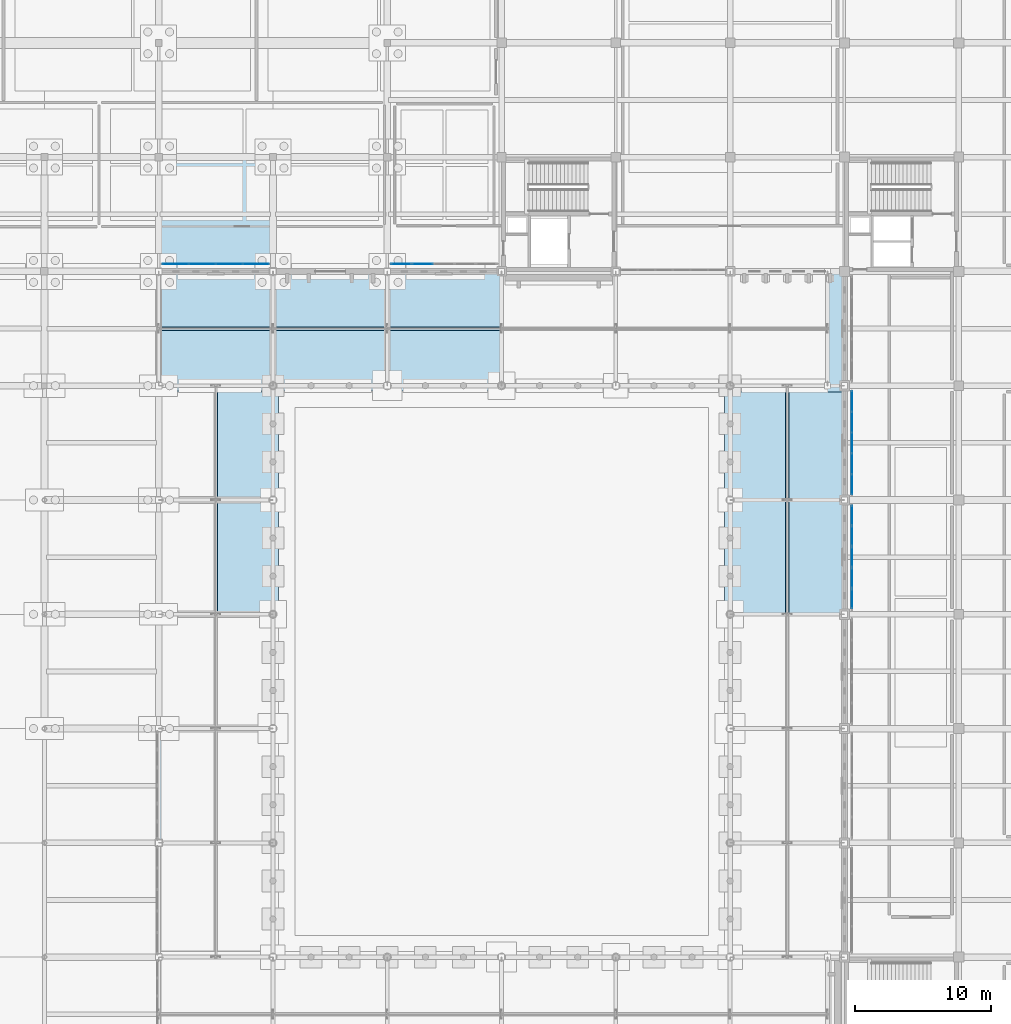
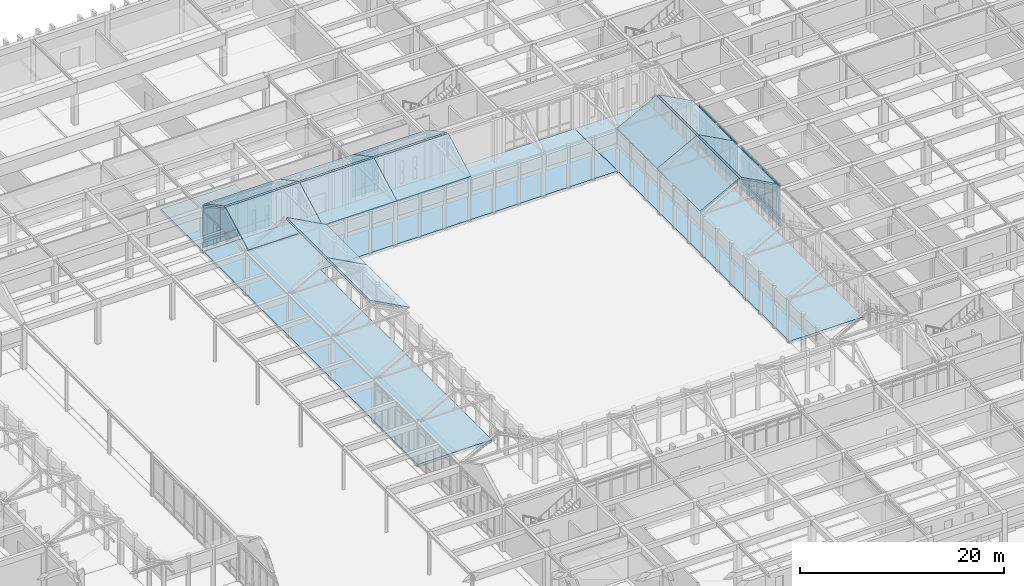
# One storey, part 77 of 143: 48 plates, 15 slabs, 4 elements without a shape of their own.
"""IFC4 building model written with IfcOpenShell, lengths in metres."""

from ifc_helpers import new_model, si_unit, direction, frame, origin, origin_2d, place, context, subcontext, project, spatial, polyline, rectangle, outline, extrude, material, layer, layer_set, type_object, element, aggregate, save


model = new_model("IFC4")

# Units and contexts
model_context = context("Model", 3, precision=1e-05, world=origin(), true_north=direction((0.0, 1.0)))
body_context = subcontext(model_context, "Body", "Model", "MODEL_VIEW")
ifc_project = project(units=[si_unit("LENGTHUNIT", "METRE"), si_unit("AREAUNIT", "SQUARE_METRE"), si_unit("VOLUMEUNIT", "CUBIC_METRE"), si_unit("PLANEANGLEUNIT", "RADIAN"), si_unit("MASSUNIT", "GRAM", prefix="KILO")], contexts=[model_context])

# Site, building, storey
site_placement = place(None, origin())
site = spatial("IfcSite", under=ifc_project, at=site_placement, CompositionType="ELEMENT")
building_placement = place(site_placement, origin())
building = spatial("IfcBuilding", under=site, at=building_placement, Name="Kveldsbrygga Polytechnic", CompositionType="ELEMENT")
storey_placement = place(building_placement, origin())
storey = spatial("IfcBuildingStorey", under=building, at=storey_placement, Name="L00", CompositionType="ELEMENT", Elevation=0.0)

# Curtain wall, plates
ifc_material_1 = material(Name="Anodised aluminium AW-6060", Category="aluminium")
ifc_layer_1 = layer(ifc_material_1, 0.18994140625)
ifc_layer_set_1 = layer_set([ifc_layer_1], Name="Anodised aluminium AW-6060")
curtain_wall_type_1 = type_object("IfcCurtainWallType", Name="CW-REFC-G", PredefinedType="USERDEFINED", material=ifc_layer_set_1)
curtain_wall_1_placement = place(storey_placement, origin())
curtain_wall_1 = element("IfcCurtainWall", 1, at=curtain_wall_1_placement, inside=storey, type_object=curtain_wall_type_1, Name="Curtain Wall CW-L00-X-11-10", ObjectType="UNITISED CURTAIN WALL", PredefinedType="USERDEFINED")
ifc_material_2 = material(Name="Insulated triple low-E glass", Category="glass")
ifc_layer_2 = layer(ifc_material_2, 0.035888671875)
ifc_layer_set_2 = layer_set([ifc_layer_2], Name="Insulated triple low-E glass")
plate_type_1 = type_object("IfcPlateType", Name="CW-PAN-VIS36", PredefinedType="CURTAIN_PANEL", material=ifc_layer_set_2)
plate_1_placement = place(storey_placement, frame((93.436767578125, 84.550048828125, 0.06005859375), z_axis=(0.0, 0.0, 1.0), x_axis=(1.0, 0.0, 0.0)))
plate_1 = element("IfcPlate", 2, at=plate_1_placement, type_object=plate_type_1, Name="CW-07 panel 1.1", PredefinedType="CURTAIN_PANEL", context=body_context, shape_type="SweptSolid", body=[
    extrude(rectangle(XDim=1.45361328125, YDim=0.035888671875, at=origin_2d()), origin(), (0.0, 0.0, 1.0), 0.81005859375),
])
plate_2_placement = place(storey_placement, frame((93.436767578125, 84.550048828125, 0.93017578125), z_axis=(0.0, 0.0, 1.0), x_axis=(1.0, 0.0, 0.0)))
plate_2 = element("IfcPlate", 3, at=plate_2_placement, type_object=plate_type_1, Name="CW-07 panel 1.2", PredefinedType="CURTAIN_PANEL", context=body_context, shape_type="SweptSolid", body=[
    extrude(rectangle(XDim=1.45361328125, YDim=0.035888671875, at=origin_2d()), origin(), (0.0, 0.0, 1.0), 3.6298828125),
])
plate_3_placement = place(storey_placement, frame((93.436767578125, 84.550048828125, 4.6201171875), z_axis=(0.0, 0.0, 1.0), x_axis=(1.0, 0.0, 0.0)))
plate_3 = element("IfcPlate", 4, at=plate_3_placement, type_object=plate_type_1, Name="CW-07 panel 1.3", PredefinedType="CURTAIN_PANEL", context=body_context, shape_type="SweptSolid", body=[
    extrude(rectangle(XDim=1.45361328125, YDim=0.035888671875, at=origin_2d()), origin(), (0.0, 0.0, 1.0), 0.4599609375),
])
plate_4_placement = place(storey_placement, frame((94.98388671875, 84.550048828125, 0.06005859375), z_axis=(0.0, 0.0, 1.0), x_axis=(1.0, 0.0, 0.0)))
plate_4 = element("IfcPlate", 5, at=plate_4_placement, type_object=plate_type_1, Name="CW-07 panel 2.1", PredefinedType="CURTAIN_PANEL", context=body_context, shape_type="SweptSolid", body=[
    extrude(rectangle(XDim=1.490966796875, YDim=0.035888671875, at=origin_2d()), origin(), (0.0, 0.0, 1.0), 0.81005859375),
])
plate_5_placement = place(storey_placement, frame((94.98388671875, 84.550048828125, 0.93017578125), z_axis=(0.0, 0.0, 1.0), x_axis=(1.0, 0.0, 0.0)))
plate_5 = element("IfcPlate", 6, at=plate_5_placement, type_object=plate_type_1, Name="CW-07 panel 2.2", PredefinedType="CURTAIN_PANEL", context=body_context, shape_type="SweptSolid", body=[
    extrude(rectangle(XDim=1.490966796875, YDim=0.035888671875, at=origin_2d()), origin(), (0.0, 0.0, 1.0), 3.6298828125),
])
plate_6_placement = place(storey_placement, frame((94.98388671875, 84.550048828125, 4.6201171875), z_axis=(0.0, 0.0, 1.0), x_axis=(1.0, 0.0, 0.0)))
plate_6 = element("IfcPlate", 7, at=plate_6_placement, type_object=plate_type_1, Name="CW-07 panel 2.3", PredefinedType="CURTAIN_PANEL", context=body_context, shape_type="SweptSolid", body=[
    extrude(rectangle(XDim=1.490966796875, YDim=0.035888671875, at=origin_2d()), origin(), (0.0, 0.0, 1.0), 0.4599609375),
])
aggregate(curtain_wall_1, [plate_1, plate_2, plate_3, plate_4, plate_5, plate_6])

ifc_layer_3 = layer(ifc_material_1, 0.179931640625)
ifc_layer_set_3 = layer_set([ifc_layer_3], Name="Anodised aluminium AW-6060")
curtain_wall_type_2 = type_object("IfcCurtainWallType", Name="CW-CONC-A", PredefinedType="USERDEFINED", material=ifc_layer_set_3)
curtain_wall_2_placement = place(storey_placement, origin())
curtain_wall_2 = element("IfcCurtainWall", 8, at=curtain_wall_2_placement, inside=storey, type_object=curtain_wall_type_2, Name="Curtain Wall CW-L00-Y-15-08", ObjectType="UNITISED CURTAIN WALL", PredefinedType="USERDEFINED")
plate_7_placement = place(storey_placement, frame((126.550048828125, 68.32958984375, 0.06005859375), z_axis=(0.0, 0.0, 1.0), x_axis=(0.0, 1.0, 0.0)))
plate_7 = element("IfcPlate", 9, at=plate_7_placement, type_object=plate_type_1, Name="CW-01 panel 1.1", PredefinedType="CURTAIN_PANEL", context=body_context, shape_type="SweptSolid", body=[
    extrude(rectangle(XDim=1.448974609375, YDim=0.035888671875, at=origin_2d()), origin(), (0.0, 0.0, 1.0), 0.81005859375),
])
plate_8_placement = place(storey_placement, frame((126.550048828125, 68.32958984375, 0.93017578125), z_axis=(0.0, 0.0, 1.0), x_axis=(0.0, 1.0, 0.0)))
plate_8 = element("IfcPlate", 10, at=plate_8_placement, type_object=plate_type_1, Name="CW-01 panel 1.2", PredefinedType="CURTAIN_PANEL", context=body_context, shape_type="SweptSolid", body=[
    extrude(rectangle(XDim=1.448974609375, YDim=0.035888671875, at=origin_2d()), origin(), (0.0, 0.0, 1.0), 3.6298828125),
])
plate_9_placement = place(storey_placement, frame((126.550048828125, 68.32958984375, 4.6201171875), z_axis=(0.0, 0.0, 1.0), x_axis=(0.0, 1.0, 0.0)))
plate_9 = element("IfcPlate", 11, at=plate_9_placement, type_object=plate_type_1, Name="CW-01 panel 1.3", PredefinedType="CURTAIN_PANEL", context=body_context, shape_type="SweptSolid", body=[
    extrude(rectangle(XDim=1.448974609375, YDim=0.035888671875, at=origin_2d()), origin(), (0.0, 0.0, 1.0), 0.4599609375),
])
plate_10_placement = place(storey_placement, frame((126.550048828125, 69.853515625, 0.06005859375), z_axis=(0.0, 0.0, 1.0), x_axis=(0.0, 1.0, 0.0)))
plate_10 = element("IfcPlate", 12, at=plate_10_placement, type_object=plate_type_1, Name="CW-01 panel 2.1", PredefinedType="CURTAIN_PANEL", context=body_context, shape_type="SweptSolid", body=[
    extrude(rectangle(XDim=1.47900390625, YDim=0.035888671875, at=origin_2d()), origin(), (0.0, 0.0, 1.0), 0.81005859375),
])
plate_11_placement = place(storey_placement, frame((126.550048828125, 69.853515625, 0.93017578125), z_axis=(0.0, 0.0, 1.0), x_axis=(0.0, 1.0, 0.0)))
plate_11 = element("IfcPlate", 13, at=plate_11_placement, type_object=plate_type_1, Name="CW-01 panel 2.2", PredefinedType="CURTAIN_PANEL", context=body_context, shape_type="SweptSolid", body=[
    extrude(rectangle(XDim=1.47900390625, YDim=0.035888671875, at=origin_2d()), origin(), (0.0, 0.0, 1.0), 3.6298828125),
])
plate_12_placement = place(storey_placement, frame((126.550048828125, 69.853515625, 4.6201171875), z_axis=(0.0, 0.0, 1.0), x_axis=(0.0, 1.0, 0.0)))
plate_12 = element("IfcPlate", 14, at=plate_12_placement, type_object=plate_type_1, Name="CW-01 panel 2.3", PredefinedType="CURTAIN_PANEL", context=body_context, shape_type="SweptSolid", body=[
    extrude(rectangle(XDim=1.47900390625, YDim=0.035888671875, at=origin_2d()), origin(), (0.0, 0.0, 1.0), 0.4599609375),
])
plate_13_placement = place(storey_placement, frame((126.550048828125, 71.392578125, 0.06005859375), z_axis=(0.0, 0.0, 1.0), x_axis=(0.0, 1.0, 0.0)))
plate_13 = element("IfcPlate", 15, at=plate_13_placement, type_object=plate_type_1, Name="CW-01 panel 3.1", PredefinedType="CURTAIN_PANEL", context=body_context, shape_type="SweptSolid", body=[
    extrude(rectangle(XDim=1.47900390625, YDim=0.035888671875, at=origin_2d()), origin(), (0.0, 0.0, 1.0), 0.81005859375),
])
plate_14_placement = place(storey_placement, frame((126.550048828125, 71.392578125, 0.93017578125), z_axis=(0.0, 0.0, 1.0), x_axis=(0.0, 1.0, 0.0)))
plate_14 = element("IfcPlate", 16, at=plate_14_placement, type_object=plate_type_1, Name="CW-01 panel 3.2", PredefinedType="CURTAIN_PANEL", context=body_context, shape_type="SweptSolid", body=[
    extrude(rectangle(XDim=1.47900390625, YDim=0.035888671875, at=origin_2d()), origin(), (0.0, 0.0, 1.0), 3.6298828125),
])
plate_15_placement = place(storey_placement, frame((126.550048828125, 71.392578125, 4.6201171875), z_axis=(0.0, 0.0, 1.0), x_axis=(0.0, 1.0, 0.0)))
plate_15 = element("IfcPlate", 17, at=plate_15_placement, type_object=plate_type_1, Name="CW-01 panel 3.3", PredefinedType="CURTAIN_PANEL", context=body_context, shape_type="SweptSolid", body=[
    extrude(rectangle(XDim=1.47900390625, YDim=0.035888671875, at=origin_2d()), origin(), (0.0, 0.0, 1.0), 0.4599609375),
])
plate_16_placement = place(storey_placement, frame((126.550048828125, 72.931396484375, 0.06005859375), z_axis=(0.0, 0.0, 1.0), x_axis=(0.0, 1.0, 0.0)))
plate_16 = element("IfcPlate", 18, at=plate_16_placement, type_object=plate_type_1, Name="CW-01 panel 4.1", PredefinedType="CURTAIN_PANEL", context=body_context, shape_type="SweptSolid", body=[
    extrude(rectangle(XDim=1.47900390625, YDim=0.035888671875, at=origin_2d()), origin(), (0.0, 0.0, 1.0), 0.81005859375),
])
plate_17_placement = place(storey_placement, frame((126.550048828125, 72.931396484375, 0.93017578125), z_axis=(0.0, 0.0, 1.0), x_axis=(0.0, 1.0, 0.0)))
plate_17 = element("IfcPlate", 19, at=plate_17_placement, type_object=plate_type_1, Name="CW-01 panel 4.2", PredefinedType="CURTAIN_PANEL", context=body_context, shape_type="SweptSolid", body=[
    extrude(rectangle(XDim=1.47900390625, YDim=0.035888671875, at=origin_2d()), origin(), (0.0, 0.0, 1.0), 3.6298828125),
])
plate_18_placement = place(storey_placement, frame((126.550048828125, 72.931396484375, 4.6201171875), z_axis=(0.0, 0.0, 1.0), x_axis=(0.0, 1.0, 0.0)))
plate_18 = element("IfcPlate", 20, at=plate_18_placement, type_object=plate_type_1, Name="CW-01 panel 4.3", PredefinedType="CURTAIN_PANEL", context=body_context, shape_type="SweptSolid", body=[
    extrude(rectangle(XDim=1.47900390625, YDim=0.035888671875, at=origin_2d()), origin(), (0.0, 0.0, 1.0), 0.4599609375),
])
plate_19_placement = place(storey_placement, frame((126.550048828125, 74.45556640625, 0.06005859375), z_axis=(0.0, 0.0, 1.0), x_axis=(0.0, 1.0, 0.0)))
plate_19 = element("IfcPlate", 21, at=plate_19_placement, type_object=plate_type_1, Name="CW-01 panel 5.1", PredefinedType="CURTAIN_PANEL", context=body_context, shape_type="SweptSolid", body=[
    extrude(rectangle(XDim=1.448974609375, YDim=0.035888671875, at=origin_2d()), origin(), (0.0, 0.0, 1.0), 0.81005859375),
])
plate_20_placement = place(storey_placement, frame((126.550048828125, 74.45556640625, 0.93017578125), z_axis=(0.0, 0.0, 1.0), x_axis=(0.0, 1.0, 0.0)))
plate_20 = element("IfcPlate", 22, at=plate_20_placement, type_object=plate_type_1, Name="CW-01 panel 5.2", PredefinedType="CURTAIN_PANEL", context=body_context, shape_type="SweptSolid", body=[
    extrude(rectangle(XDim=1.448974609375, YDim=0.035888671875, at=origin_2d()), origin(), (0.0, 0.0, 1.0), 3.6298828125),
])
plate_21_placement = place(storey_placement, frame((126.550048828125, 74.45556640625, 4.6201171875), z_axis=(0.0, 0.0, 1.0), x_axis=(0.0, 1.0, 0.0)))
plate_21 = element("IfcPlate", 23, at=plate_21_placement, type_object=plate_type_1, Name="CW-01 panel 5.3", PredefinedType="CURTAIN_PANEL", context=body_context, shape_type="SweptSolid", body=[
    extrude(rectangle(XDim=1.448974609375, YDim=0.035888671875, at=origin_2d()), origin(), (0.0, 0.0, 1.0), 0.4599609375),
])
aggregate(curtain_wall_2, [plate_7, plate_8, plate_9, plate_10, plate_11, plate_12, plate_13, plate_14, plate_15, plate_16, plate_17, plate_18, plate_19, plate_20, plate_21])

ifc_layer_4 = layer(ifc_material_1, 0.199951171875)
ifc_layer_set_4 = layer_set([ifc_layer_4], Name="Anodised aluminium AW-6060")
curtain_wall_type_3 = type_object("IfcCurtainWallType", Name="CW-LANC-E", PredefinedType="USERDEFINED", material=ifc_layer_set_4)
curtain_wall_3_placement = place(storey_placement, origin())
curtain_wall_3 = element("IfcCurtainWall", 24, at=curtain_wall_3_placement, inside=storey, type_object=curtain_wall_type_3, Name="Curtain Wall CW-L00-X-09-10", ObjectType="UNITISED CURTAIN WALL", PredefinedType="USERDEFINED")
ifc_layer_5 = layer(ifc_material_2, 0.0419921875)
ifc_layer_set_5 = layer_set([ifc_layer_5], Name="Insulated triple low-E glass")
plate_type_2 = type_object("IfcPlateType", Name="CW-PAN-VIS42", PredefinedType="CURTAIN_PANEL", material=ifc_layer_set_5)
plate_22_placement = place(storey_placement, frame((76.838134765625, 84.550048828125, 0.06005859375), z_axis=(0.0, 0.0, 1.0), x_axis=(1.0, 0.0, 0.0)))
plate_22 = element("IfcPlate", 25, at=plate_22_placement, type_object=plate_type_2, Name="CW-05 panel 1.1", PredefinedType="CURTAIN_PANEL", context=body_context, shape_type="SweptSolid", body=[
    extrude(rectangle(XDim=1.88623046875, YDim=0.0419921875, at=origin_2d()), origin(), (0.0, 0.0, 1.0), 0.81005859375),
])
plate_23_placement = place(storey_placement, frame((76.838134765625, 84.550048828125, 0.93017578125), z_axis=(0.0, 0.0, 1.0), x_axis=(1.0, 0.0, 0.0)))
plate_23 = element("IfcPlate", 26, at=plate_23_placement, type_object=plate_type_2, Name="CW-05 panel 1.2", PredefinedType="CURTAIN_PANEL", context=body_context, shape_type="SweptSolid", body=[
    extrude(rectangle(XDim=1.88623046875, YDim=0.0419921875, at=origin_2d()), origin(), (0.0, 0.0, 1.0), 3.6298828125),
])
plate_24_placement = place(storey_placement, frame((76.838134765625, 84.550048828125, 4.6201171875), z_axis=(0.0, 0.0, 1.0), x_axis=(1.0, 0.0, 0.0)))
plate_24 = element("IfcPlate", 27, at=plate_24_placement, type_object=plate_type_2, Name="CW-05 panel 1.3", PredefinedType="CURTAIN_PANEL", context=body_context, shape_type="SweptSolid", body=[
    extrude(rectangle(XDim=1.88623046875, YDim=0.0419921875, at=origin_2d()), origin(), (0.0, 0.0, 1.0), 0.4599609375),
])
plate_25_placement = place(storey_placement, frame((78.79931640625, 84.550048828125, 0.06005859375), z_axis=(0.0, 0.0, 1.0), x_axis=(1.0, 0.0, 0.0)))
plate_25 = element("IfcPlate", 28, at=plate_25_placement, type_object=plate_type_2, Name="CW-05 panel 2.1", PredefinedType="CURTAIN_PANEL", context=body_context, shape_type="SweptSolid", body=[
    extrude(rectangle(XDim=1.916259765625, YDim=0.0419921875, at=origin_2d()), origin(), (0.0, 0.0, 1.0), 0.81005859375),
])
plate_26_placement = place(storey_placement, frame((78.79931640625, 84.550048828125, 0.93017578125), z_axis=(0.0, 0.0, 1.0), x_axis=(1.0, 0.0, 0.0)))
plate_26 = element("IfcPlate", 29, at=plate_26_placement, type_object=plate_type_2, Name="CW-05 panel 2.2", PredefinedType="CURTAIN_PANEL", context=body_context, shape_type="SweptSolid", body=[
    extrude(rectangle(XDim=1.916259765625, YDim=0.0419921875, at=origin_2d()), origin(), (0.0, 0.0, 1.0), 3.6298828125),
])
plate_27_placement = place(storey_placement, frame((78.79931640625, 84.550048828125, 4.6201171875), z_axis=(0.0, 0.0, 1.0), x_axis=(1.0, 0.0, 0.0)))
plate_27 = element("IfcPlate", 30, at=plate_27_placement, type_object=plate_type_2, Name="CW-05 panel 2.3", PredefinedType="CURTAIN_PANEL", context=body_context, shape_type="SweptSolid", body=[
    extrude(rectangle(XDim=1.916259765625, YDim=0.0419921875, at=origin_2d()), origin(), (0.0, 0.0, 1.0), 0.4599609375),
])
plate_28_placement = place(storey_placement, frame((80.775634765625, 84.550048828125, 0.06005859375), z_axis=(0.0, 0.0, 1.0), x_axis=(1.0, 0.0, 0.0)))
plate_28 = element("IfcPlate", 31, at=plate_28_placement, type_object=plate_type_2, Name="CW-05 panel 3.1", PredefinedType="CURTAIN_PANEL", context=body_context, shape_type="SweptSolid", body=[
    extrude(rectangle(XDim=1.916259765625, YDim=0.0419921875, at=origin_2d()), origin(), (0.0, 0.0, 1.0), 0.81005859375),
])
plate_29_placement = place(storey_placement, frame((80.775634765625, 84.550048828125, 0.93017578125), z_axis=(0.0, 0.0, 1.0), x_axis=(1.0, 0.0, 0.0)))
plate_29 = element("IfcPlate", 32, at=plate_29_placement, type_object=plate_type_2, Name="CW-05 panel 3.2", PredefinedType="CURTAIN_PANEL", context=body_context, shape_type="SweptSolid", body=[
    extrude(rectangle(XDim=1.916259765625, YDim=0.0419921875, at=origin_2d()), origin(), (0.0, 0.0, 1.0), 3.6298828125),
])
plate_30_placement = place(storey_placement, frame((80.775634765625, 84.550048828125, 4.6201171875), z_axis=(0.0, 0.0, 1.0), x_axis=(1.0, 0.0, 0.0)))
plate_30 = element("IfcPlate", 33, at=plate_30_placement, type_object=plate_type_2, Name="CW-05 panel 3.3", PredefinedType="CURTAIN_PANEL", context=body_context, shape_type="SweptSolid", body=[
    extrude(rectangle(XDim=1.916259765625, YDim=0.0419921875, at=origin_2d()), origin(), (0.0, 0.0, 1.0), 0.4599609375),
])
plate_31_placement = place(storey_placement, frame((82.73681640625, 84.550048828125, 0.06005859375), z_axis=(0.0, 0.0, 1.0), x_axis=(1.0, 0.0, 0.0)))
plate_31 = element("IfcPlate", 34, at=plate_31_placement, type_object=plate_type_2, Name="CW-05 panel 4.1", PredefinedType="CURTAIN_PANEL", context=body_context, shape_type="SweptSolid", body=[
    extrude(rectangle(XDim=1.88623046875, YDim=0.0419921875, at=origin_2d()), origin(), (0.0, 0.0, 1.0), 0.81005859375),
])
plate_32_placement = place(storey_placement, frame((82.73681640625, 84.550048828125, 0.93017578125), z_axis=(0.0, 0.0, 1.0), x_axis=(1.0, 0.0, 0.0)))
plate_32 = element("IfcPlate", 35, at=plate_32_placement, type_object=plate_type_2, Name="CW-05 panel 4.2", PredefinedType="CURTAIN_PANEL", context=body_context, shape_type="SweptSolid", body=[
    extrude(rectangle(XDim=1.88623046875, YDim=0.0419921875, at=origin_2d()), origin(), (0.0, 0.0, 1.0), 3.6298828125),
])
plate_33_placement = place(storey_placement, frame((82.73681640625, 84.550048828125, 4.6201171875), z_axis=(0.0, 0.0, 1.0), x_axis=(1.0, 0.0, 0.0)))
plate_33 = element("IfcPlate", 36, at=plate_33_placement, type_object=plate_type_2, Name="CW-05 panel 4.3", PredefinedType="CURTAIN_PANEL", context=body_context, shape_type="SweptSolid", body=[
    extrude(rectangle(XDim=1.88623046875, YDim=0.0419921875, at=origin_2d()), origin(), (0.0, 0.0, 1.0), 0.4599609375),
])
aggregate(curtain_wall_3, [plate_22, plate_23, plate_24, plate_25, plate_26, plate_27, plate_28, plate_29, plate_30, plate_31, plate_32, plate_33])

ifc_layer_6 = layer(ifc_material_1, 0.2099609375)
ifc_layer_set_6 = layer_set([ifc_layer_6], Name="Anodised aluminium AW-6060")
curtain_wall_type_4 = type_object("IfcCurtainWallType", Name="CW-LIBR-H", PredefinedType="USERDEFINED", material=ifc_layer_set_6)
curtain_wall_4_placement = place(storey_placement, origin())
curtain_wall_4 = element("IfcCurtainWall", 37, at=curtain_wall_4_placement, inside=storey, type_object=curtain_wall_type_4, Name="Curtain Wall CW-L00-Y-15-07", ObjectType="UNITISED CURTAIN WALL", PredefinedType="USERDEFINED")
plate_34_placement = place(storey_placement, frame((126.550048828125, 59.9482421875, 0.06005859375), z_axis=(0.0, 0.0, 1.0), x_axis=(0.0, 1.0, 0.0)))
plate_34 = element("IfcPlate", 38, at=plate_34_placement, type_object=plate_type_2, Name="CW-08 panel 1.1", PredefinedType="CURTAIN_PANEL", context=body_context, shape_type="SweptSolid", body=[
    extrude(rectangle(XDim=1.426513671875, YDim=0.0419921875, at=origin_2d()), origin(), (0.0, 0.0, 1.0), 0.81005859375),
])
plate_35_placement = place(storey_placement, frame((126.550048828125, 59.9482421875, 0.93017578125), z_axis=(0.0, 0.0, 1.0), x_axis=(0.0, 1.0, 0.0)))
plate_35 = element("IfcPlate", 39, at=plate_35_placement, type_object=plate_type_2, Name="CW-08 panel 1.2", PredefinedType="CURTAIN_PANEL", context=body_context, shape_type="SweptSolid", body=[
    extrude(rectangle(XDim=1.426513671875, YDim=0.0419921875, at=origin_2d()), origin(), (0.0, 0.0, 1.0), 3.6298828125),
])
plate_36_placement = place(storey_placement, frame((126.550048828125, 59.9482421875, 4.6201171875), z_axis=(0.0, 0.0, 1.0), x_axis=(0.0, 1.0, 0.0)))
plate_36 = element("IfcPlate", 40, at=plate_36_placement, type_object=plate_type_2, Name="CW-08 panel 1.3", PredefinedType="CURTAIN_PANEL", context=body_context, shape_type="SweptSolid", body=[
    extrude(rectangle(XDim=1.426513671875, YDim=0.0419921875, at=origin_2d()), origin(), (0.0, 0.0, 1.0), 0.4599609375),
])
plate_37_placement = place(storey_placement, frame((126.550048828125, 61.468505859375, 0.06005859375), z_axis=(0.0, 0.0, 1.0), x_axis=(0.0, 1.0, 0.0)))
plate_37 = element("IfcPlate", 41, at=plate_37_placement, type_object=plate_type_2, Name="CW-08 panel 2.1", PredefinedType="CURTAIN_PANEL", context=body_context, shape_type="SweptSolid", body=[
    extrude(rectangle(XDim=1.464111328125, YDim=0.0419921875, at=origin_2d()), origin(), (0.0, 0.0, 1.0), 0.81005859375),
])
plate_38_placement = place(storey_placement, frame((126.550048828125, 61.468505859375, 0.93017578125), z_axis=(0.0, 0.0, 1.0), x_axis=(0.0, 1.0, 0.0)))
plate_38 = element("IfcPlate", 42, at=plate_38_placement, type_object=plate_type_2, Name="CW-08 panel 2.2", PredefinedType="CURTAIN_PANEL", context=body_context, shape_type="SweptSolid", body=[
    extrude(rectangle(XDim=1.464111328125, YDim=0.0419921875, at=origin_2d()), origin(), (0.0, 0.0, 1.0), 3.6298828125),
])
plate_39_placement = place(storey_placement, frame((126.550048828125, 61.468505859375, 4.6201171875), z_axis=(0.0, 0.0, 1.0), x_axis=(0.0, 1.0, 0.0)))
plate_39 = element("IfcPlate", 43, at=plate_39_placement, type_object=plate_type_2, Name="CW-08 panel 2.3", PredefinedType="CURTAIN_PANEL", context=body_context, shape_type="SweptSolid", body=[
    extrude(rectangle(XDim=1.464111328125, YDim=0.0419921875, at=origin_2d()), origin(), (0.0, 0.0, 1.0), 0.4599609375),
])
plate_40_placement = place(storey_placement, frame((126.550048828125, 63.007568359375, 0.06005859375), z_axis=(0.0, 0.0, 1.0), x_axis=(0.0, 1.0, 0.0)))
plate_40 = element("IfcPlate", 44, at=plate_40_placement, type_object=plate_type_2, Name="CW-08 panel 3.1", PredefinedType="CURTAIN_PANEL", context=body_context, shape_type="SweptSolid", body=[
    extrude(rectangle(XDim=1.464111328125, YDim=0.0419921875, at=origin_2d()), origin(), (0.0, 0.0, 1.0), 0.81005859375),
])
plate_41_placement = place(storey_placement, frame((126.550048828125, 63.007568359375, 0.93017578125), z_axis=(0.0, 0.0, 1.0), x_axis=(0.0, 1.0, 0.0)))
plate_41 = element("IfcPlate", 45, at=plate_41_placement, type_object=plate_type_2, Name="CW-08 panel 3.2", PredefinedType="CURTAIN_PANEL", context=body_context, shape_type="SweptSolid", body=[
    extrude(rectangle(XDim=1.464111328125, YDim=0.0419921875, at=origin_2d()), origin(), (0.0, 0.0, 1.0), 3.6298828125),
])
plate_42_placement = place(storey_placement, frame((126.550048828125, 63.007568359375, 4.6201171875), z_axis=(0.0, 0.0, 1.0), x_axis=(0.0, 1.0, 0.0)))
plate_42 = element("IfcPlate", 46, at=plate_42_placement, type_object=plate_type_2, Name="CW-08 panel 3.3", PredefinedType="CURTAIN_PANEL", context=body_context, shape_type="SweptSolid", body=[
    extrude(rectangle(XDim=1.464111328125, YDim=0.0419921875, at=origin_2d()), origin(), (0.0, 0.0, 1.0), 0.4599609375),
])
plate_43_placement = place(storey_placement, frame((126.550048828125, 64.54638671875, 0.06005859375), z_axis=(0.0, 0.0, 1.0), x_axis=(0.0, 1.0, 0.0)))
plate_43 = element("IfcPlate", 47, at=plate_43_placement, type_object=plate_type_2, Name="CW-08 panel 4.1", PredefinedType="CURTAIN_PANEL", context=body_context, shape_type="SweptSolid", body=[
    extrude(rectangle(XDim=1.464111328125, YDim=0.0419921875, at=origin_2d()), origin(), (0.0, 0.0, 1.0), 0.81005859375),
])
plate_44_placement = place(storey_placement, frame((126.550048828125, 64.54638671875, 0.93017578125), z_axis=(0.0, 0.0, 1.0), x_axis=(0.0, 1.0, 0.0)))
plate_44 = element("IfcPlate", 48, at=plate_44_placement, type_object=plate_type_2, Name="CW-08 panel 4.2", PredefinedType="CURTAIN_PANEL", context=body_context, shape_type="SweptSolid", body=[
    extrude(rectangle(XDim=1.464111328125, YDim=0.0419921875, at=origin_2d()), origin(), (0.0, 0.0, 1.0), 3.6298828125),
])
plate_45_placement = place(storey_placement, frame((126.550048828125, 64.54638671875, 4.6201171875), z_axis=(0.0, 0.0, 1.0), x_axis=(0.0, 1.0, 0.0)))
plate_45 = element("IfcPlate", 49, at=plate_45_placement, type_object=plate_type_2, Name="CW-08 panel 4.3", PredefinedType="CURTAIN_PANEL", context=body_context, shape_type="SweptSolid", body=[
    extrude(rectangle(XDim=1.464111328125, YDim=0.0419921875, at=origin_2d()), origin(), (0.0, 0.0, 1.0), 0.4599609375),
])
plate_46_placement = place(storey_placement, frame((126.550048828125, 66.066650390625, 0.06005859375), z_axis=(0.0, 0.0, 1.0), x_axis=(0.0, 1.0, 0.0)))
plate_46 = element("IfcPlate", 50, at=plate_46_placement, type_object=plate_type_2, Name="CW-08 panel 5.1", PredefinedType="CURTAIN_PANEL", context=body_context, shape_type="SweptSolid", body=[
    extrude(rectangle(XDim=1.426513671875, YDim=0.0419921875, at=origin_2d()), origin(), (0.0, 0.0, 1.0), 0.81005859375),
])
plate_47_placement = place(storey_placement, frame((126.550048828125, 66.066650390625, 0.93017578125), z_axis=(0.0, 0.0, 1.0), x_axis=(0.0, 1.0, 0.0)))
plate_47 = element("IfcPlate", 51, at=plate_47_placement, type_object=plate_type_2, Name="CW-08 panel 5.2", PredefinedType="CURTAIN_PANEL", context=body_context, shape_type="SweptSolid", body=[
    extrude(rectangle(XDim=1.426513671875, YDim=0.0419921875, at=origin_2d()), origin(), (0.0, 0.0, 1.0), 3.6298828125),
])
plate_48_placement = place(storey_placement, frame((126.550048828125, 66.066650390625, 4.6201171875), z_axis=(0.0, 0.0, 1.0), x_axis=(0.0, 1.0, 0.0)))
plate_48 = element("IfcPlate", 52, at=plate_48_placement, type_object=plate_type_2, Name="CW-08 panel 5.3", PredefinedType="CURTAIN_PANEL", context=body_context, shape_type="SweptSolid", body=[
    extrude(rectangle(XDim=1.426513671875, YDim=0.0419921875, at=origin_2d()), origin(), (0.0, 0.0, 1.0), 0.4599609375),
])
aggregate(curtain_wall_4, [plate_34, plate_35, plate_36, plate_37, plate_38, plate_39, plate_40, plate_41, plate_42, plate_43, plate_44, plate_45, plate_46, plate_47, plate_48])

# Slabs
ifc_material_3 = material(Name="Concrete C35/45", Category="concrete")
ifc_layer_7 = layer(ifc_material_3, 0.320068359375)
ifc_layer_set_7 = layer_set([ifc_layer_7], Name="Concrete C35/45")
slab_type_1 = type_object("IfcSlabType", Name="SLB-GND-320", PredefinedType="FLOOR", material=ifc_layer_set_7)
slab_1_placement = place(storey_placement, frame((0.0, 0.0, -0.320068359375)))
element("IfcSlab", 53, at=slab_1_placement, inside=storey, type_object=slab_type_1, Name="Slab SLB-L00-V2-Z8-1", PredefinedType="FLOOR", context=body_context, shape_type="SweptSolid", body=[
    extrude(outline(polyline([(75.60009765625, 92.39990234375), (84.0, 92.39990234375), (84.0, 84.0), (75.60009765625, 84.0), (75.60009765625, 92.39990234375)])), origin(), (0.0, 0.0, 1.0), 0.320068359375),
])
slab_2_placement = place(storey_placement, frame((0.0, 0.0, -0.320068359375)))
element("IfcSlab", 54, at=slab_2_placement, inside=storey, type_object=slab_type_1, Name="Slab SLB-L00-V5-ARC-Z5-1", PredefinedType="FLOOR", context=body_context, shape_type="SweptSolid", body=[
    extrude(outline(polyline([(75.60009765625, 50.39990234375), (75.60009765625, 58.800048828125), (75.60009765625, 67.199951171875), (75.60009765625, 75.60009765625), (75.60009765625, 84.0), (84.0, 84.0), (92.39990234375, 84.0), (100.800048828125, 84.0), (109.199951171875, 84.0), (117.60009765625, 84.0), (117.60009765625, 75.60009765625), (109.199951171875, 75.60009765625), (100.800048828125, 75.60009765625), (92.39990234375, 75.60009765625), (84.0, 75.60009765625), (84.0, 67.199951171875), (84.0, 58.800048828125), (84.0, 50.39990234375), (84.0, 42.0), (75.60009765625, 42.0), (75.60009765625, 50.39990234375)])), origin(), (0.0, 0.0, 1.0), 0.320068359375),
])
slab_3_placement = place(storey_placement, frame((0.0, 0.0, -0.320068359375)))
element("IfcSlab", 55, at=slab_3_placement, inside=storey, type_object=slab_type_1, Name="Slab SLB-L00-V5-ARC-Z6-1", PredefinedType="FLOOR", context=body_context, shape_type="SweptSolid", body=[
    extrude(outline(polyline([(117.60009765625, 42.0), (117.60009765625, 50.39990234375), (117.60009765625, 58.800048828125), (117.60009765625, 67.199951171875), (117.60009765625, 75.60009765625), (117.60009765625, 84.0), (126.0, 84.0), (126.0, 75.60009765625), (126.0, 67.199951171875), (126.0, 58.800048828125), (126.0, 50.39990234375), (126.0, 42.0), (117.60009765625, 42.0)])), origin(), (0.0, 0.0, 1.0), 0.320068359375),
])
ifc_layer_8 = layer(ifc_material_3, 0.219970703125)
ifc_layer_set_8 = layer_set([ifc_layer_8], Name="Concrete C35/45")
slab_type_2 = type_object("IfcSlabType", Name="SLB-ROOF-220", PredefinedType="ROOF", material=ifc_layer_set_8)
slab_4_placement = place(storey_placement, frame((75.60009765625, 75.199951171875, 5.521240234375), z_axis=(0.0, -0.472229417678, 0.881475681502), x_axis=(1.0, 0.0, 0.0)))
element("IfcSlab", 56, at=slab_4_placement, inside=storey, type_object=slab_type_2, Name="Pitched Roof Slab ARC-EN-RSLB-1-1", PredefinedType="ROOF", context=body_context, shape_type="SweptSolid", body=[
    extrude(outline(polyline([(0.0, 0.0), (8.39990234375, 0.0), (8.39990234375, 5.077932735618123), (0.0, 5.077932735618123), (0.0, 0.0)])), origin(), (0.0, 0.0, -1.0), 0.219970703125),
])
slab_5_placement = place(storey_placement, frame((75.60009765625, 79.923828125, 7.919189453125), z_axis=(0.0, 0.472201486297, 0.881490644499), x_axis=(1.0, 0.0, 0.0)))
element("IfcSlab", 57, at=slab_5_placement, inside=storey, type_object=slab_type_2, Name="Pitched Roof Slab ARC-EN-RSLB-1-2", PredefinedType="ROOF", context=body_context, shape_type="SweptSolid", body=[
    extrude(outline(polyline([(0.0, 0.0), (8.39990234375, 0.0), (8.39990234375, 4.420058520973962), (0.0, 4.420058520973962), (0.0, 0.0)])), origin(), (0.0, 0.0, -1.0), 0.219970703125),
])
slab_6_placement = place(storey_placement, frame((84.0, 75.199951171875, 5.521240234375), z_axis=(0.0, -0.472229417678, 0.881475681502), x_axis=(1.0, 0.0, 0.0)))
element("IfcSlab", 58, at=slab_6_placement, inside=storey, type_object=slab_type_2, Name="Pitched Roof Slab ARC-EN-RSLB-2-1", PredefinedType="ROOF", context=body_context, shape_type="SweptSolid", body=[
    extrude(outline(polyline([(0.0, 0.0), (8.39990234375, 0.0), (8.39990234375, 5.077932735618123), (0.0, 5.077932735618123), (0.0, 0.0)])), origin(), (0.0, 0.0, -1.0), 0.219970703125),
])
slab_7_placement = place(storey_placement, frame((84.0, 79.923828125, 7.919189453125), z_axis=(0.0, 0.472201486297, 0.881490644499), x_axis=(1.0, 0.0, 0.0)))
element("IfcSlab", 59, at=slab_7_placement, inside=storey, type_object=slab_type_2, Name="Pitched Roof Slab ARC-EN-RSLB-2-2", PredefinedType="ROOF", context=body_context, shape_type="SweptSolid", body=[
    extrude(outline(polyline([(0.0, 0.0), (8.39990234375, 0.0), (8.39990234375, 4.420058520973962), (0.0, 4.420058520973962), (0.0, 0.0)])), origin(), (0.0, 0.0, -1.0), 0.219970703125),
])
slab_8_placement = place(storey_placement, frame((92.39990234375, 75.199951171875, 5.521240234375), z_axis=(0.0, -0.472229417678, 0.881475681502), x_axis=(1.0, 0.0, 0.0)))
element("IfcSlab", 60, at=slab_8_placement, inside=storey, type_object=slab_type_2, Name="Pitched Roof Slab ARC-EN-RSLB-3-1", PredefinedType="ROOF", context=body_context, shape_type="SweptSolid", body=[
    extrude(outline(polyline([(0.0, 0.0), (8.400146484375, 0.0), (8.400146484375, 5.077932735618123), (0.0, 5.077932735618123), (0.0, 0.0)])), origin(), (0.0, 0.0, -1.0), 0.219970703125),
])
slab_9_placement = place(storey_placement, frame((92.39990234375, 79.923828125, 7.919189453125), z_axis=(0.0, 0.472201486297, 0.881490644499), x_axis=(1.0, 0.0, 0.0)))
element("IfcSlab", 61, at=slab_9_placement, inside=storey, type_object=slab_type_2, Name="Pitched Roof Slab ARC-EN-RSLB-3-2", PredefinedType="ROOF", context=body_context, shape_type="SweptSolid", body=[
    extrude(outline(polyline([(0.0, 0.0), (8.400146484375, 0.0), (8.400146484375, 4.420058520973962), (0.0, 4.420058520973962), (0.0, 0.0)])), origin(), (0.0, 0.0, -1.0), 0.219970703125),
])
slab_10_placement = place(storey_placement, frame((79.923828125, 58.800048828125, 7.919189453125), z_axis=(0.472229417678, 0.0, 0.881475681502), x_axis=(0.881475681502, 0.0, -0.472229417678)))
element("IfcSlab", 62, at=slab_10_placement, inside=storey, type_object=slab_type_2, Name="Pitched Roof Slab ARC-EW-RSLB-4-2", PredefinedType="ROOF", context=body_context, shape_type="SweptSolid", body=[
    extrude(outline(polyline([(0.0, 0.0), (5.077932735618123, 0.0), (5.077932735618123, 8.39990234375), (0.0, 8.39990234375), (0.0, 0.0)])), origin(), (0.0, 0.0, -1.0), 0.219970703125),
])
slab_11_placement = place(storey_placement, frame((79.923828125, 67.199951171875, 7.919189453125), z_axis=(0.472229417678, 0.0, 0.881475681502), x_axis=(0.881475681502, 0.0, -0.472229417678)))
element("IfcSlab", 63, at=slab_11_placement, inside=storey, type_object=slab_type_2, Name="Pitched Roof Slab ARC-EW-RSLB-5-2", PredefinedType="ROOF", context=body_context, shape_type="SweptSolid", body=[
    extrude(outline(polyline([(0.0, 0.0), (5.077932735618123, 0.0), (5.077932735618123, 7.93994140625), (0.0, 7.93994140625), (0.0, 0.0)])), origin(), (0.0, 0.0, -1.0), 0.219970703125),
])
slab_12_placement = place(storey_placement, frame((117.199951171875, 58.800048828125, 5.521240234375), z_axis=(-0.472229417678, 0.0, 0.881475681502), x_axis=(0.881475681502, 0.0, 0.472229417678)))
element("IfcSlab", 64, at=slab_12_placement, inside=storey, type_object=slab_type_2, Name="Pitched Roof Slab ARC-EE-RSLB-4-1", PredefinedType="ROOF", context=body_context, shape_type="SweptSolid", body=[
    extrude(outline(polyline([(0.0, 0.0), (5.077932735618123, 0.0), (5.077932735618123, 8.39990234375), (0.0, 8.39990234375), (0.0, 0.0)])), origin(), (0.0, 0.0, -1.0), 0.219970703125),
])
slab_13_placement = place(storey_placement, frame((121.923828125, 58.800048828125, 7.919189453125), z_axis=(0.472201486297, 0.0, 0.881490644499), x_axis=(0.881490644499, 0.0, -0.472201486297)))
element("IfcSlab", 65, at=slab_13_placement, inside=storey, type_object=slab_type_2, Name="Pitched Roof Slab ARC-EE-RSLB-4-2", PredefinedType="ROOF", context=body_context, shape_type="SweptSolid", body=[
    extrude(outline(polyline([(0.0, 0.0), (4.420058520973963, 0.0), (4.420058520973963, 8.39990234375), (0.0, 8.39990234375), (0.0, 0.0)])), origin(), (0.0, 0.0, -1.0), 0.219970703125),
])
slab_14_placement = place(storey_placement, frame((117.199951171875, 67.199951171875, 5.521240234375), z_axis=(-0.472229417678, 0.0, 0.881475681502), x_axis=(0.881475681502, 0.0, 0.472229417678)))
element("IfcSlab", 66, at=slab_14_placement, inside=storey, type_object=slab_type_2, Name="Pitched Roof Slab ARC-EE-RSLB-5-1", PredefinedType="ROOF", context=body_context, shape_type="SweptSolid", body=[
    extrude(outline(polyline([(0.0, 0.0), (5.077932735618123, 0.0), (5.077932735618123, 7.93994140625), (0.0, 7.93994140625), (0.0, 0.0)])), origin(), (0.0, 0.0, -1.0), 0.219970703125),
])
slab_15_placement = place(storey_placement, frame((121.923828125, 67.199951171875, 7.919189453125), z_axis=(0.472201486297, 0.0, 0.881490644499), x_axis=(0.881490644499, 0.0, -0.472201486297)))
element("IfcSlab", 67, at=slab_15_placement, inside=storey, type_object=slab_type_2, Name="Pitched Roof Slab ARC-EE-RSLB-5-2", PredefinedType="ROOF", context=body_context, shape_type="SweptSolid", body=[
    extrude(outline(polyline([(0.0, 0.0), (4.420058520973963, 0.0), (4.420058520973963, 7.93994140625), (0.0, 7.93994140625), (0.0, 0.0)])), origin(), (0.0, 0.0, -1.0), 0.219970703125),
])

save(model, "model.ifc")
